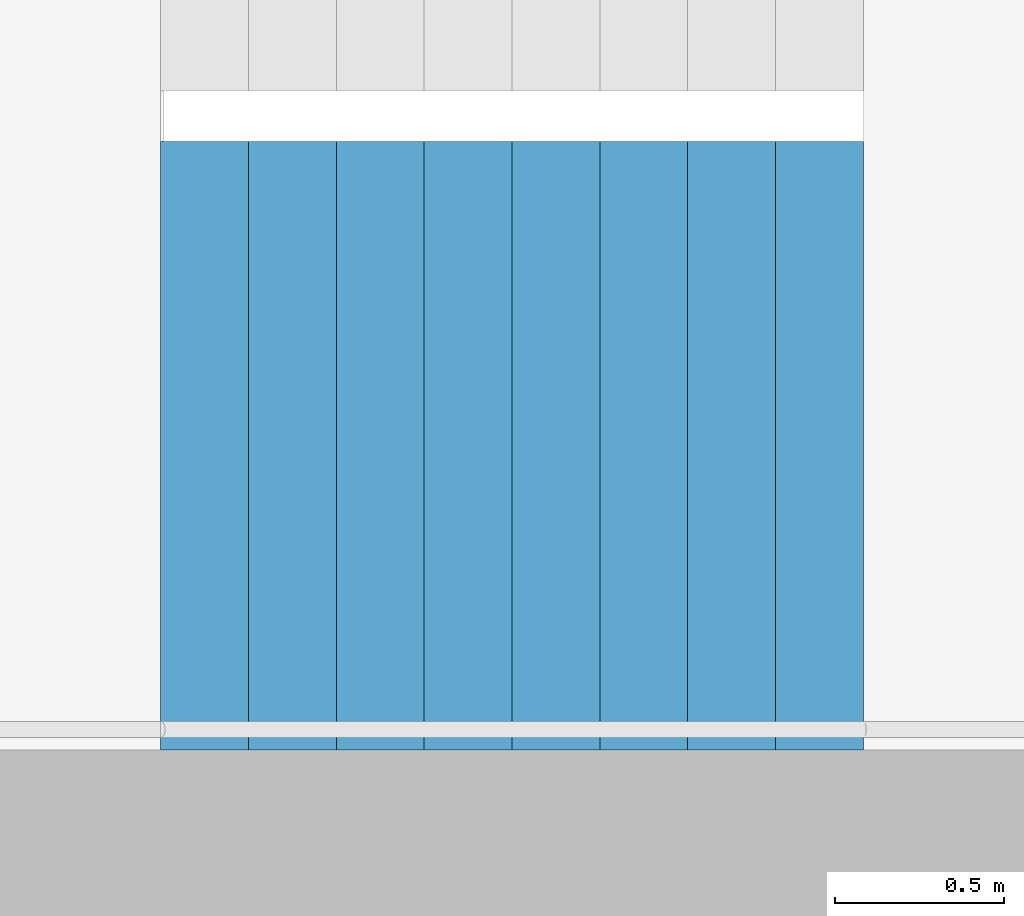
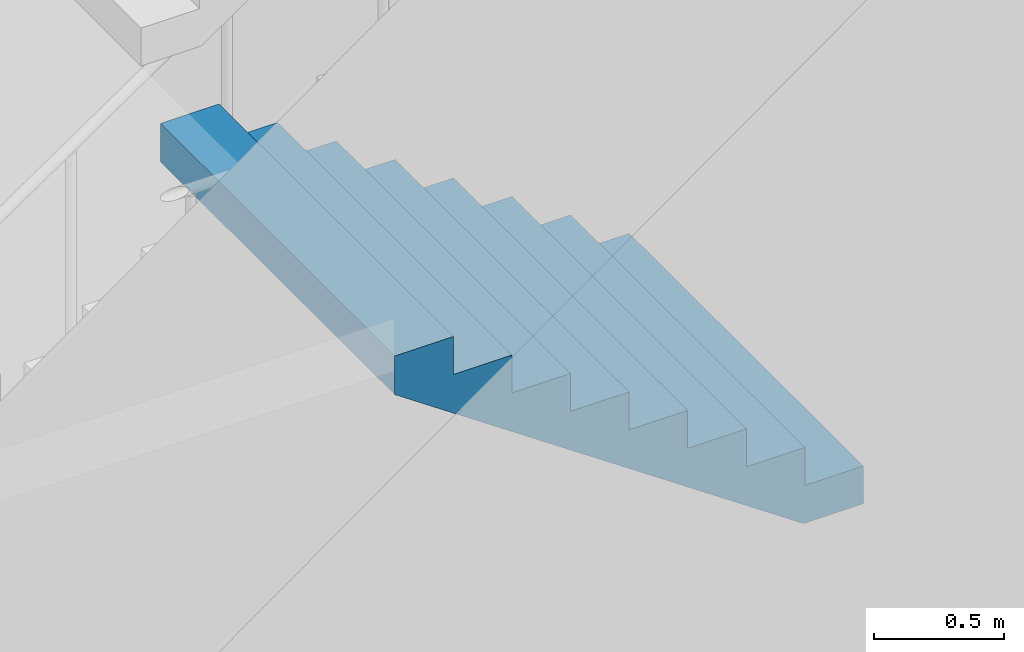
# One storey, part 25 of 44: 1 stair flight, 1 element without a shape of its own.
"""IFC4 building model written with IfcOpenShell, lengths in metres."""

from ifc_helpers import new_model, si_unit, direction, frame, origin, place, context, subcontext, project, spatial, triangles, material, type_object, element, aggregate, save


model = new_model("IFC4")

# Units and contexts
model_context = context("Model", 3, precision=1e-05, world=origin(), true_north=direction((0.0, 1.0)))
body_context = subcontext(model_context, "Body", "Model", "MODEL_VIEW")
ifc_project = project(units=[si_unit("LENGTHUNIT", "METRE"), si_unit("AREAUNIT", "SQUARE_METRE"), si_unit("VOLUMEUNIT", "CUBIC_METRE"), si_unit("PLANEANGLEUNIT", "RADIAN"), si_unit("MASSUNIT", "GRAM", prefix="KILO")], contexts=[model_context])

# Site, building, storey
site_placement = place(None, origin())
site = spatial("IfcSite", under=ifc_project, at=site_placement, CompositionType="ELEMENT")
building_placement = place(site_placement, origin())
building = spatial("IfcBuilding", under=site, at=building_placement, Name="Hakoniwa Tower and Hamabe Station Hall", CompositionType="ELEMENT")
storey_placement = place(building_placement, frame((0.0, 0.0, 69.0)))
storey = spatial("IfcBuildingStorey", under=building, at=storey_placement, Name="L19", CompositionType="ELEMENT", Elevation=69.0)

# Stair, stair flight
ifc_material_1 = material(Name="Concrete C40", Category="concrete")
stair_type = type_object("IfcStairType", Name="ESCAPE STAIR 1800", PredefinedType="HALF_TURN_STAIR", material=ifc_material_1)
stair_placement = place(storey_placement, origin())
stair = element("IfcStair", 1, at=stair_placement, inside=storey, type_object=stair_type, Name="Escape stair ST-4 L19", PredefinedType="HALF_TURN_STAIR")
ifc_material_2 = material(Name="Concrete C40", Category="concrete")
stair_flight_type = type_object("IfcStairFlightType", Name="STAIR FLIGHT 1800", PredefinedType="STRAIGHT", material=ifc_material_2)
stair_flight_placement = place(storey_placement, frame((25.47998046875, -6.60009765625, 1.60009765625), z_axis=(0.0, 0.0, 1.0), x_axis=(-1.0, 0.0, 0.0)))
stair_flight = element("IfcStairFlight", 2, at=stair_flight_placement, type_object=stair_flight_type, Name="ST-4 flight 2", NumberOfRisers=9, NumberOfTreads=8, PredefinedType="STRAIGHT", RiserHeight=0.177777778, TreadLength=0.26, context=body_context, shape_type="Tessellation", body=[
    triangles([(0.0, 0.89990234375, 0.0), (0.260009765625, 0.89990234375, 0.0), (0.265625, 0.89990234375, 0.0), (0.52001953125, 0.89990234375, 0.174072265625), (0.780029296875, 0.89990234375, 0.351806640625), (1.0400390625, 0.89990234375, 0.529541015625), (1.300048828125, 0.89990234375, 0.707275390625), (1.56005859375, 0.89990234375, 0.885009765625), (1.820068359375, 0.89990234375, 1.062744140625), (2.080078125, 0.89990234375, 1.24072265625), (2.080078125, 0.89990234375, 1.422119140625), (1.820068359375, 0.89990234375, 1.422119140625), (1.820068359375, 0.89990234375, 1.244384765625), (1.56005859375, 0.89990234375, 1.244384765625), (1.56005859375, 0.89990234375, 1.066650390625), (1.300048828125, 0.89990234375, 1.066650390625), (1.300048828125, 0.89990234375, 0.888916015625), (1.0400390625, 0.89990234375, 0.888916015625), (1.0400390625, 0.89990234375, 0.711181640625), (0.780029296875, 0.89990234375, 0.711181640625), (0.780029296875, 0.89990234375, 0.533447265625), (0.52001953125, 0.89990234375, 0.533447265625), (0.52001953125, 0.89990234375, 0.35546875), (0.265625, 0.89990234375, 0.35546875), (0.260009765625, 0.89990234375, 0.35546875), (0.260009765625, 0.89990234375, 0.177734375), (0.0, 0.89990234375, 0.177734375), (0.0, 0.06005859375, 0.0), (0.260009765625, 0.06005859375, 0.0), (0.265625, 0.06005859375, 0.0), (0.52001953125, 0.06005859375, 0.174072265625), (0.780029296875, 0.06005859375, 0.351806640625), (1.0400390625, 0.06005859375, 0.529541015625), (1.300048828125, 0.06005859375, 0.707275390625), (1.56005859375, 0.06005859375, 0.885009765625), (1.820068359375, 0.06005859375, 1.062744140625), (2.080078125, 0.06005859375, 1.24072265625), (2.080078125, 0.06005859375, 1.422119140625), (1.820068359375, 0.06005859375, 1.422119140625), (1.820068359375, 0.06005859375, 1.244384765625), (1.56005859375, 0.06005859375, 1.244384765625), (1.56005859375, 0.06005859375, 1.066650390625), (1.300048828125, 0.06005859375, 1.066650390625), (1.300048828125, 0.06005859375, 0.888916015625), (1.0400390625, 0.06005859375, 0.888916015625), (1.0400390625, 0.06005859375, 0.711181640625), (0.780029296875, 0.06005859375, 0.711181640625), (0.780029296875, 0.06005859375, 0.533447265625), (0.52001953125, 0.06005859375, 0.533447265625), (0.52001953125, 0.06005859375, 0.35546875), (0.265625, 0.06005859375, 0.35546875), (0.260009765625, 0.06005859375, 0.35546875), (0.260009765625, 0.06005859375, 0.177734375), (0.0, 0.06005859375, 0.177734375), (0.0, 0.04296875, 0.0), (0.260009765625, 0.04296875, 0.0), (0.265625, 0.04296875, 0.0), (0.52001953125, 0.04296875, 0.174072265625), (0.780029296875, 0.04296875, 0.351806640625), (1.0400390625, 0.04296875, 0.529541015625), (1.300048828125, 0.04296875, 0.707275390625), (1.56005859375, 0.04296875, 0.885009765625), (1.820068359375, 0.04296875, 1.062744140625), (2.080078125, 0.04296875, 1.24072265625), (2.080078125, 0.04296875, 1.422119140625), (1.820068359375, 0.04296875, 1.422119140625), (1.820068359375, 0.04296875, 1.244384765625), (1.56005859375, 0.04296875, 1.244384765625), (1.56005859375, 0.04296875, 1.066650390625), (1.300048828125, 0.04296875, 1.066650390625), (1.300048828125, 0.04296875, 0.888916015625), (1.0400390625, 0.04296875, 0.888916015625), (1.0400390625, 0.04296875, 0.711181640625), (0.780029296875, 0.04296875, 0.711181640625), (0.780029296875, 0.04296875, 0.533447265625), (0.52001953125, 0.04296875, 0.533447265625), (0.52001953125, 0.04296875, 0.35546875), (0.265625, 0.04296875, 0.35546875), (0.260009765625, 0.04296875, 0.35546875), (0.260009765625, 0.04296875, 0.177734375), (0.0, 0.04296875, 0.177734375), (0.0, 0.025634765625, 0.0), (0.260009765625, 0.025634765625, 0.0), (0.265625, 0.025634765625, 0.0), (0.52001953125, 0.025634765625, 0.174072265625), (0.780029296875, 0.025634765625, 0.351806640625), (1.0400390625, 0.025634765625, 0.529541015625), (1.300048828125, 0.025634765625, 0.707275390625), (1.56005859375, 0.025634765625, 0.885009765625), (1.820068359375, 0.025634765625, 1.062744140625), (2.080078125, 0.025634765625, 1.24072265625), (2.080078125, 0.025634765625, 1.422119140625), (1.820068359375, 0.025634765625, 1.422119140625), (1.820068359375, 0.025634765625, 1.244384765625), (1.56005859375, 0.025634765625, 1.244384765625), (1.56005859375, 0.025634765625, 1.066650390625), (1.300048828125, 0.025634765625, 1.066650390625), (1.300048828125, 0.025634765625, 0.888916015625), (1.0400390625, 0.025634765625, 0.888916015625), (1.0400390625, 0.025634765625, 0.711181640625), (0.780029296875, 0.025634765625, 0.711181640625), (0.780029296875, 0.025634765625, 0.533447265625), (0.52001953125, 0.025634765625, 0.533447265625), (0.52001953125, 0.025634765625, 0.35546875), (0.265625, 0.025634765625, 0.35546875), (0.260009765625, 0.025634765625, 0.35546875), (0.260009765625, 0.025634765625, 0.177734375), (0.0, 0.025634765625, 0.177734375), (0.0, 0.008544921875, 0.0), (0.260009765625, 0.008544921875, 0.0), (0.265625, 0.008544921875, 0.0), (0.52001953125, 0.008544921875, 0.174072265625), (0.780029296875, 0.008544921875, 0.351806640625), (1.0400390625, 0.008544921875, 0.529541015625), (1.300048828125, 0.008544921875, 0.707275390625), (1.56005859375, 0.008544921875, 0.885009765625), (1.820068359375, 0.008544921875, 1.062744140625), (2.080078125, 0.008544921875, 1.24072265625), (2.080078125, 0.008544921875, 1.422119140625), (1.820068359375, 0.008544921875, 1.422119140625), (1.820068359375, 0.008544921875, 1.244384765625), (1.56005859375, 0.008544921875, 1.244384765625), (1.56005859375, 0.008544921875, 1.066650390625), (1.300048828125, 0.008544921875, 1.066650390625), (1.300048828125, 0.008544921875, 0.888916015625), (1.0400390625, 0.008544921875, 0.888916015625), (1.0400390625, 0.008544921875, 0.711181640625), (0.780029296875, 0.008544921875, 0.711181640625), (0.780029296875, 0.008544921875, 0.533447265625), (0.52001953125, 0.008544921875, 0.533447265625), (0.52001953125, 0.008544921875, 0.35546875), (0.265625, 0.008544921875, 0.35546875), (0.260009765625, 0.008544921875, 0.35546875), (0.260009765625, 0.008544921875, 0.177734375), (0.0, 0.008544921875, 0.177734375), (0.0, -0.008544921875, 0.0), (0.260009765625, -0.008544921875, 0.0), (0.265625, -0.008544921875, 0.0), (0.52001953125, -0.008544921875, 0.174072265625), (0.780029296875, -0.008544921875, 0.351806640625), (1.0400390625, -0.008544921875, 0.529541015625), (1.300048828125, -0.008544921875, 0.707275390625), (1.56005859375, -0.008544921875, 0.885009765625), (1.820068359375, -0.008544921875, 1.062744140625), (2.080078125, -0.008544921875, 1.24072265625), (2.080078125, -0.008544921875, 1.422119140625), (1.820068359375, -0.008544921875, 1.422119140625), (1.820068359375, -0.008544921875, 1.244384765625), (1.56005859375, -0.008544921875, 1.244384765625), (1.56005859375, -0.008544921875, 1.066650390625), (1.300048828125, -0.008544921875, 1.066650390625), (1.300048828125, -0.008544921875, 0.888916015625), (1.0400390625, -0.008544921875, 0.888916015625), (1.0400390625, -0.008544921875, 0.711181640625), (0.780029296875, -0.008544921875, 0.711181640625), (0.780029296875, -0.008544921875, 0.533447265625), (0.52001953125, -0.008544921875, 0.533447265625), (0.52001953125, -0.008544921875, 0.35546875), (0.265625, -0.008544921875, 0.35546875), (0.260009765625, -0.008544921875, 0.35546875), (0.260009765625, -0.008544921875, 0.177734375), (0.0, -0.008544921875, 0.177734375), (0.0, -0.025634765625, 0.0), (0.260009765625, -0.025634765625, 0.0), (0.265625, -0.025634765625, 0.0), (0.52001953125, -0.025634765625, 0.174072265625), (0.780029296875, -0.025634765625, 0.351806640625), (1.0400390625, -0.025634765625, 0.529541015625), (1.300048828125, -0.025634765625, 0.707275390625), (1.56005859375, -0.025634765625, 0.885009765625), (1.820068359375, -0.025634765625, 1.062744140625), (2.080078125, -0.025634765625, 1.24072265625), (2.080078125, -0.025634765625, 1.422119140625), (1.820068359375, -0.025634765625, 1.422119140625), (1.820068359375, -0.025634765625, 1.244384765625), (1.56005859375, -0.025634765625, 1.244384765625), (1.56005859375, -0.025634765625, 1.066650390625), (1.300048828125, -0.025634765625, 1.066650390625), (1.300048828125, -0.025634765625, 0.888916015625), (1.0400390625, -0.025634765625, 0.888916015625), (1.0400390625, -0.025634765625, 0.711181640625), (0.780029296875, -0.025634765625, 0.711181640625), (0.780029296875, -0.025634765625, 0.533447265625), (0.52001953125, -0.025634765625, 0.533447265625), (0.52001953125, -0.025634765625, 0.35546875), (0.265625, -0.025634765625, 0.35546875), (0.260009765625, -0.025634765625, 0.35546875), (0.260009765625, -0.025634765625, 0.177734375), (0.0, -0.025634765625, 0.177734375), (0.0, -0.04296875, 0.0), (0.260009765625, -0.04296875, 0.0), (0.265625, -0.04296875, 0.0), (0.52001953125, -0.04296875, 0.174072265625), (0.780029296875, -0.04296875, 0.351806640625), (1.0400390625, -0.04296875, 0.529541015625), (1.300048828125, -0.04296875, 0.707275390625), (1.56005859375, -0.04296875, 0.885009765625), (1.820068359375, -0.04296875, 1.062744140625), (2.080078125, -0.04296875, 1.24072265625), (2.080078125, -0.04296875, 1.422119140625), (1.820068359375, -0.04296875, 1.422119140625), (1.820068359375, -0.04296875, 1.244384765625), (1.56005859375, -0.04296875, 1.244384765625), (1.56005859375, -0.04296875, 1.066650390625), (1.300048828125, -0.04296875, 1.066650390625), (1.300048828125, -0.04296875, 0.888916015625), (1.0400390625, -0.04296875, 0.888916015625), (1.0400390625, -0.04296875, 0.711181640625), (0.780029296875, -0.04296875, 0.711181640625), (0.780029296875, -0.04296875, 0.533447265625), (0.52001953125, -0.04296875, 0.533447265625), (0.52001953125, -0.04296875, 0.35546875), (0.265625, -0.04296875, 0.35546875), (0.260009765625, -0.04296875, 0.35546875), (0.260009765625, -0.04296875, 0.177734375), (0.0, -0.04296875, 0.177734375), (0.0, -0.06005859375, 0.0), (0.260009765625, -0.06005859375, 0.0), (0.265625, -0.06005859375, 0.0), (0.52001953125, -0.06005859375, 0.174072265625), (0.780029296875, -0.06005859375, 0.351806640625), (1.0400390625, -0.06005859375, 0.529541015625), (1.300048828125, -0.06005859375, 0.707275390625), (1.56005859375, -0.06005859375, 0.885009765625), (1.820068359375, -0.06005859375, 1.062744140625), (2.080078125, -0.06005859375, 1.24072265625), (2.080078125, -0.06005859375, 1.422119140625), (1.820068359375, -0.06005859375, 1.422119140625), (1.820068359375, -0.06005859375, 1.244384765625), (1.56005859375, -0.06005859375, 1.244384765625), (1.56005859375, -0.06005859375, 1.066650390625), (1.300048828125, -0.06005859375, 1.066650390625), (1.300048828125, -0.06005859375, 0.888916015625), (1.0400390625, -0.06005859375, 0.888916015625), (1.0400390625, -0.06005859375, 0.711181640625), (0.780029296875, -0.06005859375, 0.711181640625), (0.780029296875, -0.06005859375, 0.533447265625), (0.52001953125, -0.06005859375, 0.533447265625), (0.52001953125, -0.06005859375, 0.35546875), (0.265625, -0.06005859375, 0.35546875), (0.260009765625, -0.06005859375, 0.35546875), (0.260009765625, -0.06005859375, 0.177734375), (0.0, -0.06005859375, 0.177734375), (0.0, -0.89990234375, 0.0), (0.260009765625, -0.89990234375, 0.0), (0.265625, -0.89990234375, 0.0), (0.52001953125, -0.89990234375, 0.174072265625), (0.780029296875, -0.89990234375, 0.351806640625), (1.0400390625, -0.89990234375, 0.529541015625), (1.300048828125, -0.89990234375, 0.707275390625), (1.56005859375, -0.89990234375, 0.885009765625), (1.820068359375, -0.89990234375, 1.062744140625), (2.080078125, -0.89990234375, 1.24072265625), (2.080078125, -0.89990234375, 1.422119140625), (1.820068359375, -0.89990234375, 1.422119140625), (1.820068359375, -0.89990234375, 1.244384765625), (1.56005859375, -0.89990234375, 1.244384765625), (1.56005859375, -0.89990234375, 1.066650390625), (1.300048828125, -0.89990234375, 1.066650390625), (1.300048828125, -0.89990234375, 0.888916015625), (1.0400390625, -0.89990234375, 0.888916015625), (1.0400390625, -0.89990234375, 0.711181640625), (0.780029296875, -0.89990234375, 0.711181640625), (0.780029296875, -0.89990234375, 0.533447265625), (0.52001953125, -0.89990234375, 0.533447265625), (0.52001953125, -0.89990234375, 0.35546875), (0.265625, -0.89990234375, 0.35546875), (0.260009765625, -0.89990234375, 0.35546875), (0.260009765625, -0.89990234375, 0.177734375), (0.0, -0.89990234375, 0.177734375)], [[2, 27, 26], [245, 269, 270], [2, 1, 27], [245, 270, 244], [3, 25, 24], [246, 267, 268], [3, 26, 25], [246, 268, 269], [3, 2, 26], [246, 269, 245], [4, 24, 23], [247, 266, 267], [4, 3, 24], [247, 267, 246], [5, 22, 21], [248, 264, 265], [5, 23, 22], [248, 265, 266], [5, 4, 23], [248, 266, 247], [6, 20, 19], [249, 262, 263], [6, 21, 20], [249, 263, 264], [6, 5, 21], [249, 264, 248], [7, 18, 17], [250, 260, 261], [7, 19, 18], [250, 261, 262], [7, 6, 19], [250, 262, 249], [8, 16, 15], [251, 258, 259], [8, 17, 16], [251, 259, 260], [8, 7, 17], [251, 260, 250], [9, 14, 13], [252, 256, 257], [9, 15, 14], [252, 257, 258], [9, 8, 15], [252, 258, 251], [10, 12, 11], [253, 254, 255], [10, 13, 12], [253, 255, 256], [10, 9, 13], [253, 256, 252], [1, 2, 29], [1, 29, 28], [28, 29, 56], [28, 56, 55], [55, 56, 83], [55, 83, 82], [82, 83, 110], [82, 110, 109], [109, 110, 137], [109, 137, 136], [136, 137, 164], [136, 164, 163], [163, 164, 191], [163, 191, 190], [190, 191, 218], [190, 218, 217], [217, 218, 245], [217, 245, 244], [2, 3, 30], [2, 30, 29], [29, 30, 57], [29, 57, 56], [56, 57, 84], [56, 84, 83], [83, 84, 111], [83, 111, 110], [110, 111, 138], [110, 138, 137], [137, 138, 165], [137, 165, 164], [164, 165, 192], [164, 192, 191], [191, 192, 219], [191, 219, 218], [218, 219, 246], [218, 246, 245], [3, 4, 31], [3, 31, 30], [30, 31, 58], [30, 58, 57], [57, 58, 85], [57, 85, 84], [84, 85, 112], [84, 112, 111], [111, 112, 139], [111, 139, 138], [138, 139, 166], [138, 166, 165], [165, 166, 193], [165, 193, 192], [192, 193, 220], [192, 220, 219], [219, 220, 247], [219, 247, 246], [4, 5, 32], [4, 32, 31], [31, 32, 59], [31, 59, 58], [58, 59, 86], [58, 86, 85], [85, 86, 113], [85, 113, 112], [112, 113, 140], [112, 140, 139], [139, 140, 167], [139, 167, 166], [166, 167, 194], [166, 194, 193], [193, 194, 221], [193, 221, 220], [220, 221, 248], [220, 248, 247], [5, 6, 33], [5, 33, 32], [32, 33, 60], [32, 60, 59], [59, 60, 87], [59, 87, 86], [86, 87, 114], [86, 114, 113], [113, 114, 141], [113, 141, 140], [140, 141, 168], [140, 168, 167], [167, 168, 195], [167, 195, 194], [194, 195, 222], [194, 222, 221], [221, 222, 249], [221, 249, 248], [6, 7, 34], [6, 34, 33], [33, 34, 61], [33, 61, 60], [60, 61, 88], [60, 88, 87], [87, 88, 115], [87, 115, 114], [114, 115, 142], [114, 142, 141], [141, 142, 169], [141, 169, 168], [168, 169, 196], [168, 196, 195], [195, 196, 223], [195, 223, 222], [222, 223, 250], [222, 250, 249], [7, 8, 35], [7, 35, 34], [34, 35, 62], [34, 62, 61], [61, 62, 89], [61, 89, 88], [88, 89, 116], [88, 116, 115], [115, 116, 143], [115, 143, 142], [142, 143, 170], [142, 170, 169], [169, 170, 197], [169, 197, 196], [196, 197, 224], [196, 224, 223], [223, 224, 251], [223, 251, 250], [8, 9, 36], [8, 36, 35], [35, 36, 63], [35, 63, 62], [62, 63, 90], [62, 90, 89], [89, 90, 117], [89, 117, 116], [116, 117, 144], [116, 144, 143], [143, 144, 171], [143, 171, 170], [170, 171, 198], [170, 198, 197], [197, 198, 225], [197, 225, 224], [224, 225, 252], [224, 252, 251], [9, 10, 37], [9, 37, 36], [36, 37, 64], [36, 64, 63], [63, 64, 91], [63, 91, 90], [90, 91, 118], [90, 118, 117], [117, 118, 145], [117, 145, 144], [144, 145, 172], [144, 172, 171], [171, 172, 199], [171, 199, 198], [198, 199, 226], [198, 226, 225], [225, 226, 253], [225, 253, 252], [10, 11, 38], [10, 38, 37], [37, 38, 65], [37, 65, 64], [64, 65, 92], [64, 92, 91], [91, 92, 119], [91, 119, 118], [118, 119, 146], [118, 146, 145], [145, 146, 173], [145, 173, 172], [172, 173, 200], [172, 200, 199], [199, 200, 227], [199, 227, 226], [226, 227, 254], [226, 254, 253], [11, 12, 39], [11, 39, 38], [38, 39, 66], [38, 66, 65], [65, 66, 93], [65, 93, 92], [92, 93, 120], [92, 120, 119], [119, 120, 147], [119, 147, 146], [146, 147, 174], [146, 174, 173], [173, 174, 201], [173, 201, 200], [200, 201, 228], [200, 228, 227], [227, 228, 255], [227, 255, 254], [12, 13, 40], [12, 40, 39], [39, 40, 67], [39, 67, 66], [66, 67, 94], [66, 94, 93], [93, 94, 121], [93, 121, 120], [120, 121, 148], [120, 148, 147], [147, 148, 175], [147, 175, 174], [174, 175, 202], [174, 202, 201], [201, 202, 229], [201, 229, 228], [228, 229, 256], [228, 256, 255], [13, 14, 41], [13, 41, 40], [40, 41, 68], [40, 68, 67], [67, 68, 95], [67, 95, 94], [94, 95, 122], [94, 122, 121], [121, 122, 149], [121, 149, 148], [148, 149, 176], [148, 176, 175], [175, 176, 203], [175, 203, 202], [202, 203, 230], [202, 230, 229], [229, 230, 257], [229, 257, 256], [14, 15, 42], [14, 42, 41], [41, 42, 69], [41, 69, 68], [68, 69, 96], [68, 96, 95], [95, 96, 123], [95, 123, 122], [122, 123, 150], [122, 150, 149], [149, 150, 177], [149, 177, 176], [176, 177, 204], [176, 204, 203], [203, 204, 231], [203, 231, 230], [230, 231, 258], [230, 258, 257], [15, 16, 43], [15, 43, 42], [42, 43, 70], [42, 70, 69], [69, 70, 97], [69, 97, 96], [96, 97, 124], [96, 124, 123], [123, 124, 151], [123, 151, 150], [150, 151, 178], [150, 178, 177], [177, 178, 205], [177, 205, 204], [204, 205, 232], [204, 232, 231], [231, 232, 259], [231, 259, 258], [16, 17, 44], [16, 44, 43], [43, 44, 71], [43, 71, 70], [70, 71, 98], [70, 98, 97], [97, 98, 125], [97, 125, 124], [124, 125, 152], [124, 152, 151], [151, 152, 179], [151, 179, 178], [178, 179, 206], [178, 206, 205], [205, 206, 233], [205, 233, 232], [232, 233, 260], [232, 260, 259], [17, 18, 45], [17, 45, 44], [44, 45, 72], [44, 72, 71], [71, 72, 99], [71, 99, 98], [98, 99, 126], [98, 126, 125], [125, 126, 153], [125, 153, 152], [152, 153, 180], [152, 180, 179], [179, 180, 207], [179, 207, 206], [206, 207, 234], [206, 234, 233], [233, 234, 261], [233, 261, 260], [18, 19, 46], [18, 46, 45], [45, 46, 73], [45, 73, 72], [72, 73, 100], [72, 100, 99], [99, 100, 127], [99, 127, 126], [126, 127, 154], [126, 154, 153], [153, 154, 181], [153, 181, 180], [180, 181, 208], [180, 208, 207], [207, 208, 235], [207, 235, 234], [234, 235, 262], [234, 262, 261], [19, 20, 47], [19, 47, 46], [46, 47, 74], [46, 74, 73], [73, 74, 101], [73, 101, 100], [100, 101, 128], [100, 128, 127], [127, 128, 155], [127, 155, 154], [154, 155, 182], [154, 182, 181], [181, 182, 209], [181, 209, 208], [208, 209, 236], [208, 236, 235], [235, 236, 263], [235, 263, 262], [20, 21, 48], [20, 48, 47], [47, 48, 75], [47, 75, 74], [74, 75, 102], [74, 102, 101], [101, 102, 129], [101, 129, 128], [128, 129, 156], [128, 156, 155], [155, 156, 183], [155, 183, 182], [182, 183, 210], [182, 210, 209], [209, 210, 237], [209, 237, 236], [236, 237, 264], [236, 264, 263], [21, 22, 49], [21, 49, 48], [48, 49, 76], [48, 76, 75], [75, 76, 103], [75, 103, 102], [102, 103, 130], [102, 130, 129], [129, 130, 157], [129, 157, 156], [156, 157, 184], [156, 184, 183], [183, 184, 211], [183, 211, 210], [210, 211, 238], [210, 238, 237], [237, 238, 265], [237, 265, 264], [22, 23, 50], [22, 50, 49], [49, 50, 77], [49, 77, 76], [76, 77, 104], [76, 104, 103], [103, 104, 131], [103, 131, 130], [130, 131, 158], [130, 158, 157], [157, 158, 185], [157, 185, 184], [184, 185, 212], [184, 212, 211], [211, 212, 239], [211, 239, 238], [238, 239, 266], [238, 266, 265], [23, 24, 51], [23, 51, 50], [50, 51, 78], [50, 78, 77], [77, 78, 105], [77, 105, 104], [104, 105, 132], [104, 132, 131], [131, 132, 159], [131, 159, 158], [158, 159, 186], [158, 186, 185], [185, 186, 213], [185, 213, 212], [212, 213, 240], [212, 240, 239], [239, 240, 267], [239, 267, 266], [24, 25, 52], [24, 52, 51], [51, 52, 79], [51, 79, 78], [78, 79, 106], [78, 106, 105], [105, 106, 133], [105, 133, 132], [132, 133, 160], [132, 160, 159], [159, 160, 187], [159, 187, 186], [186, 187, 214], [186, 214, 213], [213, 214, 241], [213, 241, 240], [240, 241, 268], [240, 268, 267], [25, 26, 53], [25, 53, 52], [52, 53, 80], [52, 80, 79], [79, 80, 107], [79, 107, 106], [106, 107, 134], [106, 134, 133], [133, 134, 161], [133, 161, 160], [160, 161, 188], [160, 188, 187], [187, 188, 215], [187, 215, 214], [214, 215, 242], [214, 242, 241], [241, 242, 269], [241, 269, 268], [26, 27, 54], [26, 54, 53], [53, 54, 81], [53, 81, 80], [80, 81, 108], [80, 108, 107], [107, 108, 135], [107, 135, 134], [134, 135, 162], [134, 162, 161], [161, 162, 189], [161, 189, 188], [188, 189, 216], [188, 216, 215], [215, 216, 243], [215, 243, 242], [242, 243, 270], [242, 270, 269], [27, 1, 28], [27, 28, 54], [54, 28, 55], [54, 55, 81], [81, 55, 82], [81, 82, 108], [108, 82, 109], [108, 109, 135], [135, 109, 136], [135, 136, 162], [162, 136, 163], [162, 163, 189], [189, 163, 190], [189, 190, 216], [216, 190, 217], [216, 217, 243], [243, 217, 244], [243, 244, 270]], closed=True),
])
aggregate(stair, [stair_flight])

save(model, "model.ifc")
